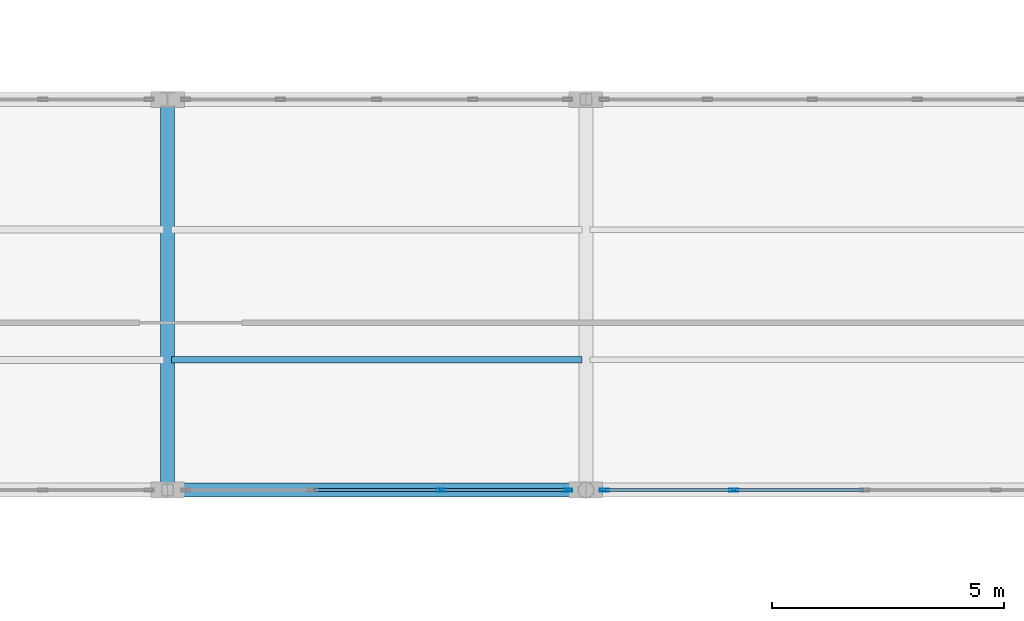
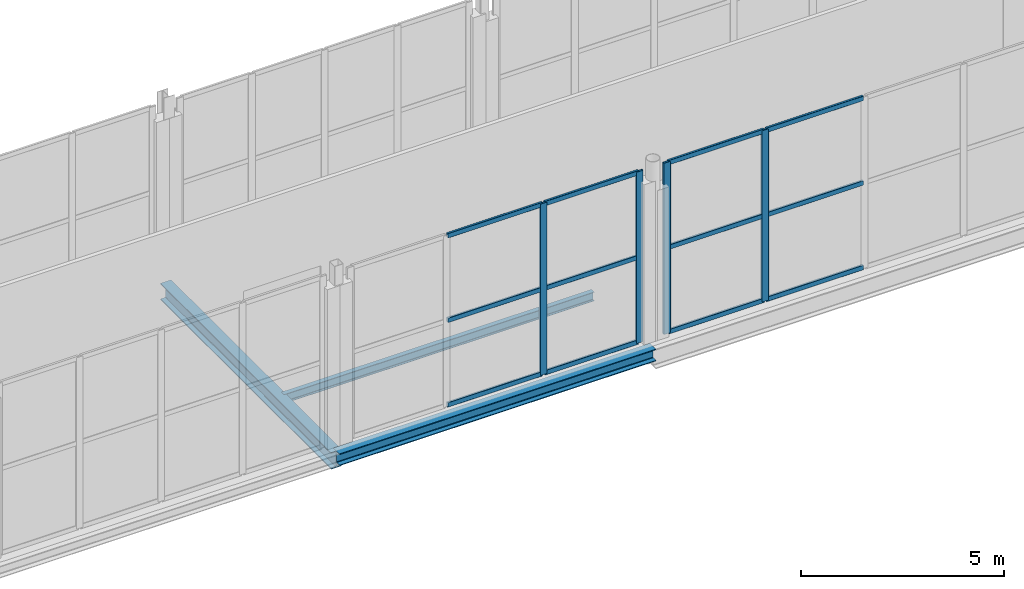
# One storey, part 87 of 147: 16 members, 3 beams, 2 elements without a shape of their own.
"""IFC4 building model written with IfcOpenShell, lengths in metres."""

from ifc_helpers import new_model, si_unit, direction, frame, origin, origin_2d, place, context, subcontext, project, spatial, hollow_rectangle, i_section, extrude, material, layer, layer_set, material_profile, profile_set, type_object, element, aggregate, save


model = new_model("IFC4")

# Units and contexts
model_context = context("Model", 3, precision=1e-05, world=origin(), true_north=direction((0.0, 1.0)))
body_context = subcontext(model_context, "Body", "Model", "MODEL_VIEW")
ifc_project = project(units=[si_unit("LENGTHUNIT", "METRE"), si_unit("AREAUNIT", "SQUARE_METRE"), si_unit("VOLUMEUNIT", "CUBIC_METRE"), si_unit("PLANEANGLEUNIT", "RADIAN"), si_unit("MASSUNIT", "GRAM", prefix="KILO")], contexts=[model_context])

# Site, building, storey
site_placement = place(None, origin())
site = spatial("IfcSite", under=ifc_project, at=site_placement, CompositionType="ELEMENT")
building_placement = place(site_placement, origin())
building = spatial("IfcBuilding", under=site, at=building_placement, Name="Vekula Escarpment Museum", CompositionType="ELEMENT")
storey_placement = place(building_placement, frame((0.0, 0.0, 7.800048828125)))
storey = spatial("IfcBuildingStorey", under=building, at=storey_placement, Name="L02", CompositionType="ELEMENT", Elevation=7.800048828125)

# Beams
ifc_material_1 = material(Name="Steel S355", Category="steel")
ifc_material_profile_1 = material_profile(ifc_material_1, i_section(OverallWidth=0.300048828125, OverallDepth=0.360107421875, WebThickness=0.012451171875, FlangeThickness=0.0224609375, FilletRadius=0.027099609375, at=origin_2d()), Name="HEB 360")
ifc_profile_set_1 = profile_set([ifc_material_profile_1], Name="Steel S355")
beam_type_1 = type_object("IfcBeamType", Name="BM-GIRD-HEB360", PredefinedType="BEAM", material=ifc_profile_set_1)
beam_1_placement = place(storey_placement, frame((146.0, 68.0, -0.43994140625), z_axis=(1.0, 0.0, 0.0), x_axis=(0.0, 1.0, 0.0)))
element("IfcBeam", 1, at=beam_1_placement, inside=storey, type_object=beam_type_1, Name="Beam X L02 0903", PredefinedType="BEAM", context=body_context, shape_type="SweptSolid", body=[
    extrude(i_section(OverallWidth=0.300048828125, OverallDepth=0.360107421875, WebThickness=0.012451171875, FlangeThickness=0.0224609375, FilletRadius=0.027099609375, at=origin_2d()), origin(), (0.0, 0.0, 1.0), 9.0),
])
ifc_material_2 = material(Name="Steel S355", Category="steel")
ifc_material_profile_2 = material_profile(ifc_material_2, i_section(OverallWidth=0.300048828125, OverallDepth=0.5, WebThickness=0.014404296875, FlangeThickness=0.028076171875, FilletRadius=0.027099609375, at=origin_2d()), Name="HEB 500")
ifc_profile_set_2 = profile_set([ifc_material_profile_2], Name="Steel S355")
beam_type_2 = type_object("IfcBeamType", Name="BM-GIRD-HEB500", PredefinedType="BEAM", material=ifc_profile_set_2)
beam_2_placement = place(storey_placement, frame((146.0, 68.0, -0.510009765625), z_axis=(0.0, 1.0, 0.0), x_axis=(-1.0, 0.0, 0.0)))
element("IfcBeam", 2, at=beam_2_placement, inside=storey, type_object=beam_type_2, Name="Beam Y L02 1215", PredefinedType="BEAM", context=body_context, shape_type="SweptSolid", body=[
    extrude(i_section(OverallWidth=0.300048828125, OverallDepth=0.5, WebThickness=0.014404296875, FlangeThickness=0.028076171875, FilletRadius=0.027099609375, at=origin_2d()), origin(), (0.0, 0.0, 1.0), 8.39990234375),
])
ifc_material_3 = material(Name="Steel S355", Category="steel")
ifc_material_profile_3 = material_profile(ifc_material_3, i_section(OverallWidth=0.135009765625, OverallDepth=0.27001953125, WebThickness=0.006591796875, FlangeThickness=0.01025390625, FilletRadius=0.014892578125, at=origin_2d()), Name="IPE 270")
ifc_profile_set_3 = profile_set([ifc_material_profile_3], Name="Steel S355")
beam_type_3 = type_object("IfcBeamType", Name="BM-JST-IPE270", PredefinedType="JOIST", material=ifc_profile_set_3)
beam_3_placement = place(storey_placement, frame((146.090087890625, 70.800048828125, -0.39501953125), z_axis=(1.0, 0.0, 0.0), x_axis=(0.0, 1.0, 0.0)))
element("IfcBeam", 3, at=beam_3_placement, inside=storey, type_object=beam_type_3, Name="Secondary Joist L02 0833", PredefinedType="JOIST", context=body_context, shape_type="SweptSolid", body=[
    extrude(i_section(OverallWidth=0.135009765625, OverallDepth=0.27001953125, WebThickness=0.006591796875, FlangeThickness=0.01025390625, FilletRadius=0.014892578125, at=origin_2d()), origin(), (0.0, 0.0, 1.0), 8.81982421875),
])

# Curtain wall, members
ifc_material_4 = material(Name="Aluminium thermally broken framing", Category="aluminium")
ifc_layer_1 = layer(ifc_material_4, 0.159912109375)
ifc_layer_set_1 = layer_set([ifc_layer_1], Name="Aluminium thermally broken framing")
curtain_wall_type_1 = type_object("IfcCurtainWallType", Name="CW-SYS-05", PredefinedType="NOTDEFINED", material=ifc_layer_set_1)
curtain_wall_1_placement = place(storey_placement, origin())
curtain_wall_1 = element("IfcCurtainWall", 4, at=curtain_wall_1_placement, inside=storey, type_object=curtain_wall_type_1, Name="Curtain Wall CW-L02-065", PredefinedType="NOTDEFINED")
ifc_material_5 = material(Name="Aluminium anodized mullion", Category="aluminium")
ifc_material_profile_4 = material_profile(ifc_material_5, hollow_rectangle(XDim=0.06494140625, YDim=0.199951171875, WallThickness=0.00390625, InnerFilletRadius=0.00390625, OuterFilletRadius=0.008056640625, at=origin_2d()), Name="ALU 200x65x4")
ifc_profile_set_4 = profile_set([ifc_material_profile_4], Name="Aluminium anodized mullion")
member_type_1 = type_object("IfcMemberType", Name="CW-MUL-200", PredefinedType="MULLION", material=ifc_profile_set_4)
member_1_placement = place(storey_placement, frame((151.8798828125, 68.0, 0.0), z_axis=(0.0, 0.0, 1.0), x_axis=(0.0, 1.0, 0.0)))
member_1 = element("IfcMember", 5, at=member_1_placement, type_object=member_type_1, Name="CW-05 mullion 3", PredefinedType="MULLION", context=body_context, shape_type="SweptSolid", body=[
    extrude(hollow_rectangle(XDim=0.06494140625, YDim=0.199951171875, WallThickness=0.00390625, InnerFilletRadius=0.00390625, OuterFilletRadius=0.008056640625, at=origin_2d()), origin(), (0.0, 0.0, 1.0), 5.14990234375),
])
member_2_placement = place(storey_placement, frame((154.607421875, 68.0, 0.0), z_axis=(0.0, 0.0, 1.0), x_axis=(0.0, 1.0, 0.0)))
member_2 = element("IfcMember", 6, at=member_2_placement, type_object=member_type_1, Name="CW-05 mullion 4", PredefinedType="MULLION", context=body_context, shape_type="SweptSolid", body=[
    extrude(hollow_rectangle(XDim=0.06494140625, YDim=0.199951171875, WallThickness=0.00390625, InnerFilletRadius=0.00390625, OuterFilletRadius=0.008056640625, at=origin_2d()), origin(), (0.0, 0.0, 1.0), 5.14990234375),
])

ifc_material_6 = material(Name="Aluminium thermally broken framing", Category="aluminium")
ifc_layer_2 = layer(ifc_material_6, 0.139892578125)
ifc_layer_set_2 = layer_set([ifc_layer_2], Name="Aluminium thermally broken framing")
curtain_wall_type_2 = type_object("IfcCurtainWallType", Name="CW-SYS-06", PredefinedType="NOTDEFINED", material=ifc_layer_set_2)
curtain_wall_2_placement = place(storey_placement, origin())
curtain_wall_2 = element("IfcCurtainWall", 7, at=curtain_wall_2_placement, inside=storey, type_object=curtain_wall_type_2, Name="Curtain Wall CW-L02-066", PredefinedType="NOTDEFINED")
member_3_placement = place(storey_placement, frame((155.392578125, 68.0, 0.0), z_axis=(0.0, 0.0, 1.0), x_axis=(0.0, 1.0, 0.0)))
member_3 = element("IfcMember", 8, at=member_3_placement, type_object=member_type_1, Name="CW-06 mullion 1", PredefinedType="MULLION", context=body_context, shape_type="SweptSolid", body=[
    extrude(hollow_rectangle(XDim=0.06494140625, YDim=0.199951171875, WallThickness=0.00390625, InnerFilletRadius=0.00390625, OuterFilletRadius=0.008056640625, at=origin_2d()), origin(), (0.0, 0.0, 1.0), 5.14990234375),
])
member_4_placement = place(storey_placement, frame((158.179931640625, 68.0, 0.0), z_axis=(0.0, 0.0, 1.0), x_axis=(0.0, 1.0, 0.0)))
member_4 = element("IfcMember", 9, at=member_4_placement, type_object=member_type_1, Name="CW-06 mullion 2", PredefinedType="MULLION", context=body_context, shape_type="SweptSolid", body=[
    extrude(hollow_rectangle(XDim=0.06494140625, YDim=0.199951171875, WallThickness=0.00390625, InnerFilletRadius=0.00390625, OuterFilletRadius=0.008056640625, at=origin_2d()), origin(), (0.0, 0.0, 1.0), 5.14990234375),
])

# Member
ifc_material_7 = material(Name="Aluminium anodized transom", Category="aluminium")
ifc_material_profile_5 = material_profile(ifc_material_7, hollow_rectangle(XDim=0.06494140625, YDim=0.139892578125, WallThickness=0.00390625, InnerFilletRadius=0.00390625, OuterFilletRadius=0.008056640625, at=origin_2d()), Name="ALU 140x65x4")
ifc_profile_set_5 = profile_set([ifc_material_profile_5], Name="Aluminium anodized transom")
member_type_2 = type_object("IfcMemberType", Name="CW-TRN-140", PredefinedType="USERDEFINED", material=ifc_profile_set_5)
member_5_placement = place(storey_placement, frame((149.152587890625, 68.0, 0.032470703125), z_axis=(1.0, 0.0, 0.0), x_axis=(0.0, 1.0, 0.0)))
member_5 = element("IfcMember", 10, at=member_5_placement, type_object=member_type_2, Name="CW-05 transom 2.1", ObjectType="TRANSOM", PredefinedType="USERDEFINED", context=body_context, shape_type="SweptSolid", body=[
    extrude(hollow_rectangle(XDim=0.06494140625, YDim=0.139892578125, WallThickness=0.00390625, InnerFilletRadius=0.00390625, OuterFilletRadius=0.008056640625, at=origin_2d()), origin(), (0.0, 0.0, 1.0), 2.69482421875),
])

member_6_placement = place(storey_placement, frame((149.152587890625, 68.0, 2.574951171875), z_axis=(1.0, 0.0, 0.0), x_axis=(0.0, 1.0, 0.0)))
member_6 = element("IfcMember", 11, at=member_6_placement, type_object=member_type_2, Name="CW-05 transom 2.2", ObjectType="TRANSOM", PredefinedType="USERDEFINED", context=body_context, shape_type="SweptSolid", body=[
    extrude(hollow_rectangle(XDim=0.06494140625, YDim=0.139892578125, WallThickness=0.00390625, InnerFilletRadius=0.00390625, OuterFilletRadius=0.008056640625, at=origin_2d()), origin(), (0.0, 0.0, 1.0), 2.69482421875),
])

member_7_placement = place(storey_placement, frame((149.152587890625, 68.0, 5.117431640625), z_axis=(1.0, 0.0, 0.0), x_axis=(0.0, 1.0, 0.0)))
member_7 = element("IfcMember", 12, at=member_7_placement, type_object=member_type_2, Name="CW-05 transom 2.3", ObjectType="TRANSOM", PredefinedType="USERDEFINED", context=body_context, shape_type="SweptSolid", body=[
    extrude(hollow_rectangle(XDim=0.06494140625, YDim=0.139892578125, WallThickness=0.00390625, InnerFilletRadius=0.00390625, OuterFilletRadius=0.008056640625, at=origin_2d()), origin(), (0.0, 0.0, 1.0), 2.69482421875),
])

member_8_placement = place(storey_placement, frame((151.91259765625, 68.0, 0.032470703125), z_axis=(1.0, 0.0, 0.0), x_axis=(0.0, 1.0, 0.0)))
member_8 = element("IfcMember", 13, at=member_8_placement, type_object=member_type_2, Name="CW-05 transom 3.1", ObjectType="TRANSOM", PredefinedType="USERDEFINED", context=body_context, shape_type="SweptSolid", body=[
    extrude(hollow_rectangle(XDim=0.06494140625, YDim=0.139892578125, WallThickness=0.00390625, InnerFilletRadius=0.00390625, OuterFilletRadius=0.008056640625, at=origin_2d()), origin(), (0.0, 0.0, 1.0), 2.662353515625),
])

member_9_placement = place(storey_placement, frame((151.91259765625, 68.0, 2.574951171875), z_axis=(1.0, 0.0, 0.0), x_axis=(0.0, 1.0, 0.0)))
member_9 = element("IfcMember", 14, at=member_9_placement, type_object=member_type_2, Name="CW-05 transom 3.2", ObjectType="TRANSOM", PredefinedType="USERDEFINED", context=body_context, shape_type="SweptSolid", body=[
    extrude(hollow_rectangle(XDim=0.06494140625, YDim=0.139892578125, WallThickness=0.00390625, InnerFilletRadius=0.00390625, OuterFilletRadius=0.008056640625, at=origin_2d()), origin(), (0.0, 0.0, 1.0), 2.662353515625),
])

member_10_placement = place(storey_placement, frame((151.91259765625, 68.0, 5.117431640625), z_axis=(1.0, 0.0, 0.0), x_axis=(0.0, 1.0, 0.0)))
member_10 = element("IfcMember", 15, at=member_10_placement, type_object=member_type_2, Name="CW-05 transom 3.3", ObjectType="TRANSOM", PredefinedType="USERDEFINED", context=body_context, shape_type="SweptSolid", body=[
    extrude(hollow_rectangle(XDim=0.06494140625, YDim=0.139892578125, WallThickness=0.00390625, InnerFilletRadius=0.00390625, OuterFilletRadius=0.008056640625, at=origin_2d()), origin(), (0.0, 0.0, 1.0), 2.662353515625),
])

aggregate(curtain_wall_1, [member_1, member_2, member_5, member_6, member_7, member_8, member_9, member_10])

member_11_placement = place(storey_placement, frame((155.425048828125, 68.0, 0.032470703125), z_axis=(1.0, 0.0, 0.0), x_axis=(0.0, 1.0, 0.0)))
member_11 = element("IfcMember", 16, at=member_11_placement, type_object=member_type_2, Name="CW-06 transom 1.1", ObjectType="TRANSOM", PredefinedType="USERDEFINED", context=body_context, shape_type="SweptSolid", body=[
    extrude(hollow_rectangle(XDim=0.06494140625, YDim=0.139892578125, WallThickness=0.00390625, InnerFilletRadius=0.00390625, OuterFilletRadius=0.008056640625, at=origin_2d()), origin(), (0.0, 0.0, 1.0), 2.722412109375),
])

member_12_placement = place(storey_placement, frame((155.425048828125, 68.0, 2.574951171875), z_axis=(1.0, 0.0, 0.0), x_axis=(0.0, 1.0, 0.0)))
member_12 = element("IfcMember", 17, at=member_12_placement, type_object=member_type_2, Name="CW-06 transom 1.2", ObjectType="TRANSOM", PredefinedType="USERDEFINED", context=body_context, shape_type="SweptSolid", body=[
    extrude(hollow_rectangle(XDim=0.06494140625, YDim=0.139892578125, WallThickness=0.00390625, InnerFilletRadius=0.00390625, OuterFilletRadius=0.008056640625, at=origin_2d()), origin(), (0.0, 0.0, 1.0), 2.722412109375),
])

member_13_placement = place(storey_placement, frame((155.425048828125, 68.0, 5.117431640625), z_axis=(1.0, 0.0, 0.0), x_axis=(0.0, 1.0, 0.0)))
member_13 = element("IfcMember", 18, at=member_13_placement, type_object=member_type_2, Name="CW-06 transom 1.3", ObjectType="TRANSOM", PredefinedType="USERDEFINED", context=body_context, shape_type="SweptSolid", body=[
    extrude(hollow_rectangle(XDim=0.06494140625, YDim=0.139892578125, WallThickness=0.00390625, InnerFilletRadius=0.00390625, OuterFilletRadius=0.008056640625, at=origin_2d()), origin(), (0.0, 0.0, 1.0), 2.722412109375),
])

member_14_placement = place(storey_placement, frame((158.21240234375, 68.0, 0.032470703125), z_axis=(1.0, 0.0, 0.0), x_axis=(0.0, 1.0, 0.0)))
member_14 = element("IfcMember", 19, at=member_14_placement, type_object=member_type_2, Name="CW-06 transom 2.1", ObjectType="TRANSOM", PredefinedType="USERDEFINED", context=body_context, shape_type="SweptSolid", body=[
    extrude(hollow_rectangle(XDim=0.06494140625, YDim=0.139892578125, WallThickness=0.00390625, InnerFilletRadius=0.00390625, OuterFilletRadius=0.008056640625, at=origin_2d()), origin(), (0.0, 0.0, 1.0), 2.755126953125),
])

member_15_placement = place(storey_placement, frame((158.21240234375, 68.0, 2.574951171875), z_axis=(1.0, 0.0, 0.0), x_axis=(0.0, 1.0, 0.0)))
member_15 = element("IfcMember", 20, at=member_15_placement, type_object=member_type_2, Name="CW-06 transom 2.2", ObjectType="TRANSOM", PredefinedType="USERDEFINED", context=body_context, shape_type="SweptSolid", body=[
    extrude(hollow_rectangle(XDim=0.06494140625, YDim=0.139892578125, WallThickness=0.00390625, InnerFilletRadius=0.00390625, OuterFilletRadius=0.008056640625, at=origin_2d()), origin(), (0.0, 0.0, 1.0), 2.755126953125),
])

member_16_placement = place(storey_placement, frame((158.21240234375, 68.0, 5.117431640625), z_axis=(1.0, 0.0, 0.0), x_axis=(0.0, 1.0, 0.0)))
member_16 = element("IfcMember", 21, at=member_16_placement, type_object=member_type_2, Name="CW-06 transom 2.3", ObjectType="TRANSOM", PredefinedType="USERDEFINED", context=body_context, shape_type="SweptSolid", body=[
    extrude(hollow_rectangle(XDim=0.06494140625, YDim=0.139892578125, WallThickness=0.00390625, InnerFilletRadius=0.00390625, OuterFilletRadius=0.008056640625, at=origin_2d()), origin(), (0.0, 0.0, 1.0), 2.755126953125),
])

aggregate(curtain_wall_2, [member_3, member_4, member_11, member_12, member_13, member_14, member_15, member_16])

save(model, "model.ifc")
